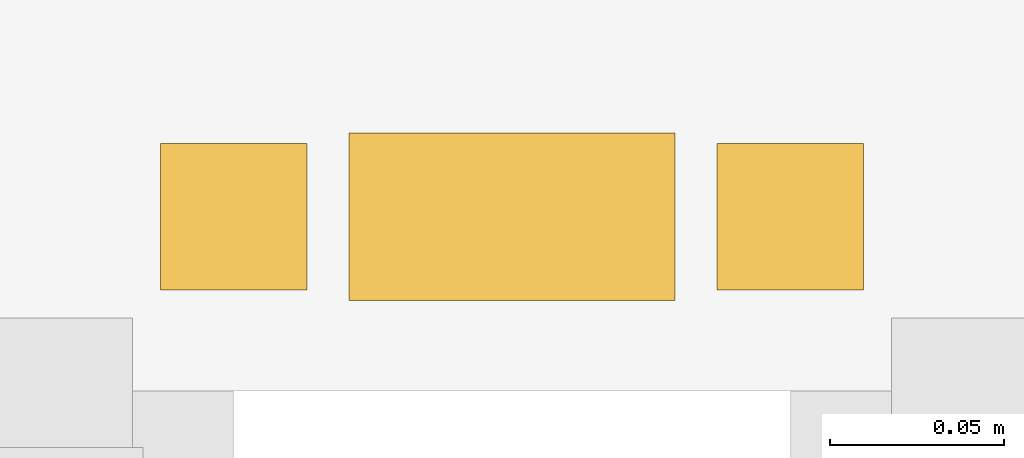
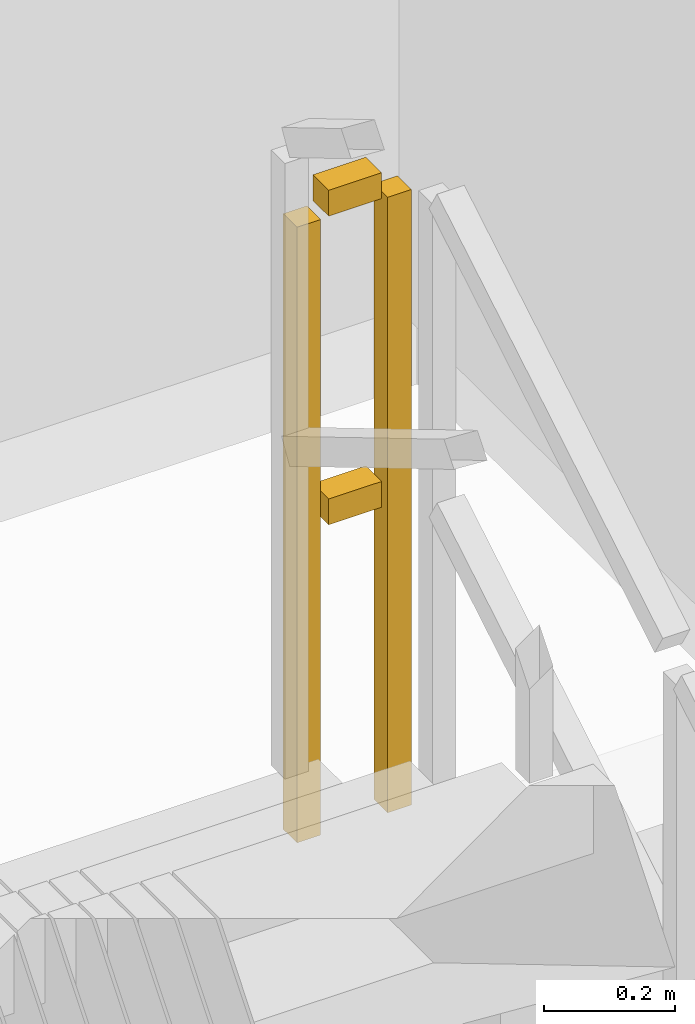
# One storey, part 22 of 22: 1 railing.
"""IFC4 building model written with IfcOpenShell, lengths in metres."""

from ifc_helpers import new_model, si_unit, direction, frame, origin, origin_2d, place, context, subcontext, project, spatial, rectangle, extrude, material, type_object, element, save


model = new_model("IFC4")

# Units and contexts
model_context = context("Model", 3, precision=1e-05, world=origin(), true_north=direction((0.0, 1.0)))
body_context = subcontext(model_context, "Body", "Model", "MODEL_VIEW")
ifc_project = project(units=[si_unit("LENGTHUNIT", "METRE"), si_unit("AREAUNIT", "SQUARE_METRE"), si_unit("VOLUMEUNIT", "CUBIC_METRE"), si_unit("PLANEANGLEUNIT", "RADIAN"), si_unit("MASSUNIT", "GRAM", prefix="KILO")], contexts=[model_context])

# Site, building, storey
site_placement = place(None, origin())
site = spatial("IfcSite", under=ifc_project, at=site_placement, CompositionType="ELEMENT")
building_placement = place(site_placement, origin())
building = spatial("IfcBuilding", under=site, at=building_placement, Name="Saelheon Loggia Tower", CompositionType="ELEMENT")
storey_placement = place(building_placement, frame((0.0, 0.0, 135.75)))
storey = spatial("IfcBuildingStorey", under=building, at=storey_placement, Name="L43", CompositionType="ELEMENT", Elevation=135.75)

# Railing
ifc_material = material(Name="Galvanised Steel S275 Stairwell Guardrail", Category="steel")
railing_type = type_object("IfcRailingType", Name="Guard_StairWell_RL_STG", PredefinedType="GUARDRAIL", material=ifc_material)
railing_placement = place(storey_placement, frame((42.489990234375, 32.739990234375, 1.5)))
element("IfcRailing", 1, at=railing_placement, inside=storey, type_object=railing_type, Name="L43 ST2 stair guard 2", PredefinedType="GUARDRAIL", context=body_context, shape_type="SweptSolid", body=[
    extrude(rectangle(XDim=0.048095703125, YDim=0.048095703125, at=origin_2d()), frame((-0.033203125, 0.0, 1.17578125), z_axis=(-1.0, 0.0, 0.0), x_axis=(0.0, -1.0, 0.0)), (0.0, 0.0, 1.0), 0.093505859375),
    extrude(rectangle(XDim=0.048095703125, YDim=0.048095703125, at=origin_2d()), frame((-0.033203125, 0.0, 0.60009765625), z_axis=(-1.0, 0.0, 0.0), x_axis=(0.0, -1.0, 0.0)), (0.0, 0.0, 1.0), 0.093505859375),
    extrude(rectangle(XDim=0.0419921875, YDim=0.0419921875, at=origin_2d()), origin(), (0.0, 0.0, 1.0), 1.14794921875),
    extrude(rectangle(XDim=0.0419921875, YDim=0.0419921875, at=origin_2d()), frame((-0.159912109375, 0.0, 0.0)), (0.0, 0.0, 1.0), 1.14794921875),
])

save(model, "model.ifc")
